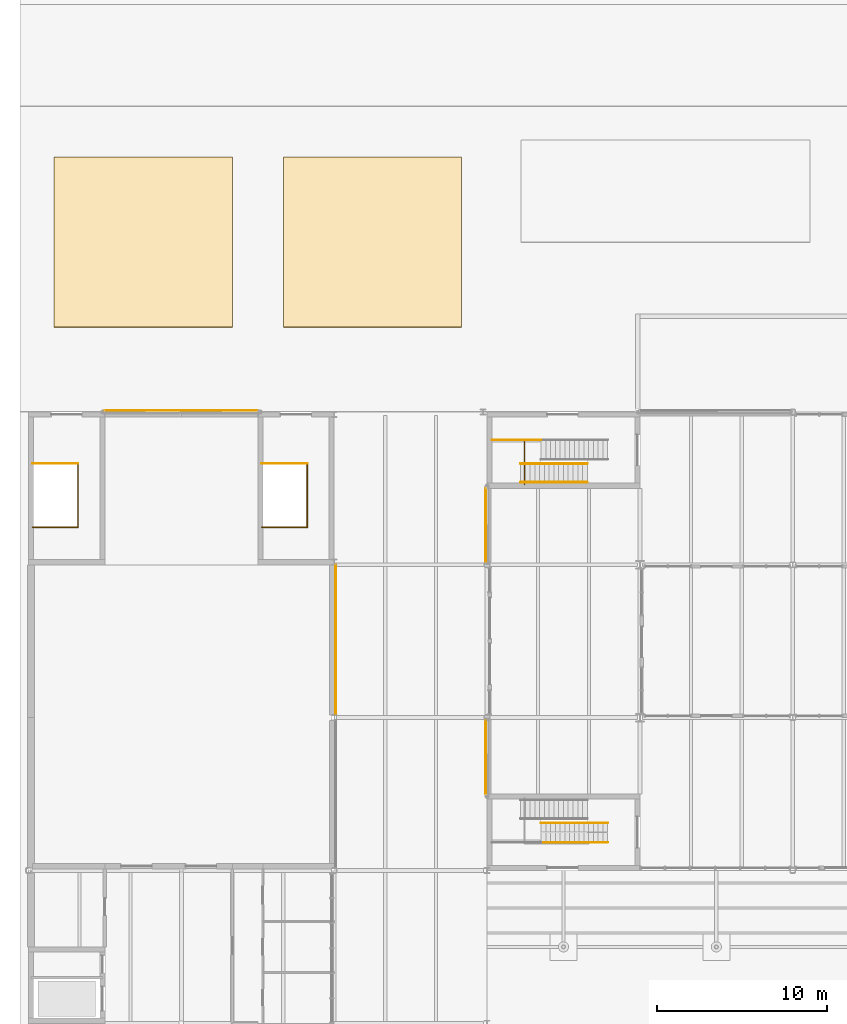
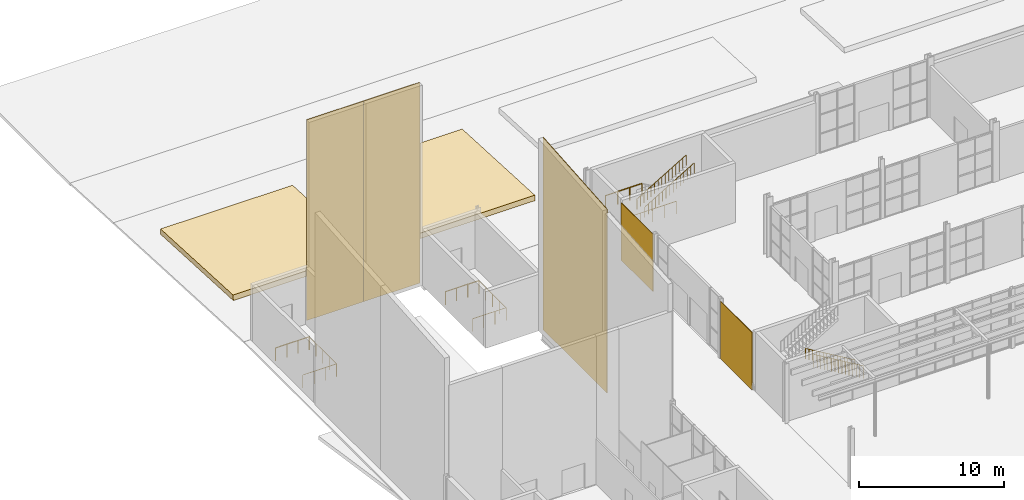
# One storey, part 55 of 63: 10 railings, 7 coverings.
"""IFC4 building model written with IfcOpenShell, lengths in metres."""

import ifcopenshell
import ifcopenshell.guid

model = None  # the IFC model being written
_history = None  # IfcOwnerHistory: only IFC2X3 demands one
_inside = {}  # id of a spatial element -> (the spatial element, [elements in it])
_under = {}  # id of a project, library or spatial element -> (it, [spatial elements below it])
_declared = {}  # id of a project -> (the project, [libraries it declares])
_typed = {}  # id of a type object -> (the type object, [elements of that type])
_made_of = {}  # id of a material, layer set ... -> (it, [elements and type objects made of it])


def new_model(schema):
    """Start an empty IFC model of exactly this schema.

    Asked for "IFC4X3", IfcOpenShell would pick the latest addendum, in which some entities
    have other attributes; the version numbers below select the first issue.
    IFC2X3 requires an IfcOwnerHistory on every rooted entity: one is made here for all.
    """
    global model, _history
    if schema == "IFC4X3":
        model = ifcopenshell.file(schema_version=(4, 3, 0, 0))
    else:
        model = ifcopenshell.file(schema=schema)
    _inside.clear()
    _under.clear()
    _declared.clear()
    _typed.clear()
    _made_of.clear()
    _history = None
    if model.schema == "IFC2X3":
        org = make("IfcOrganization", Name="unknown")
        user = make(
            "IfcPersonAndOrganization",
            ThePerson=make("IfcPerson", FamilyName="unknown"),
            TheOrganization=org,
        )
        app = make(
            "IfcApplication",
            ApplicationDeveloper=org,
            Version="unknown",
            ApplicationFullName="unknown",
            ApplicationIdentifier="unknown",
        )
        _history = make(
            "IfcOwnerHistory",
            OwningUser=user,
            OwningApplication=app,
            ChangeAction="ADDED",
            CreationDate=0,
        )
    return model


def make(cls, **values):
    """One entity of the class cls with the attributes given. An attribute that is None is left unset."""
    return model.create_entity(
        cls, **{name: value for name, value in values.items() if value is not None}
    )


def rooted(cls, **values):
    """An entity with a GlobalId (a new one), such as an element, a storey or a relation."""
    return make(cls, GlobalId=ifcopenshell.guid.new(), OwnerHistory=_history, **values)


def si_unit(unit_type, name, prefix=None):
    """IfcSIUnit, for example si_unit("LENGTHUNIT", "METRE", prefix="MILLI")."""
    return make("IfcSIUnit", UnitType=unit_type, Prefix=prefix, Name=name)


def assignment(units):
    """IfcUnitAssignment: the units of a project."""
    return None if units is None else make("IfcUnitAssignment", Units=units)


def point(xyz):
    """IfcCartesianPoint."""
    return None if xyz is None else make("IfcCartesianPoint", Coordinates=xyz)


def direction(xyz):
    """IfcDirection."""
    return None if xyz is None else make("IfcDirection", DirectionRatios=xyz)


def frame(location, z_axis=None, x_axis=None):
    """IfcAxis2Placement3D, a coordinate frame: its origin and axes. An axis left out is left unset."""
    return make(
        "IfcAxis2Placement3D",
        Location=point(location),
        Axis=direction(z_axis),
        RefDirection=direction(x_axis),
    )


def frame_2d(location, x_axis=None):
    """IfcAxis2Placement2D, a coordinate frame in the plane: its origin and x axis."""
    return make(
        "IfcAxis2Placement2D", Location=point(location), RefDirection=direction(x_axis)
    )


def origin():
    """The frame at (0, 0, 0) with its axes left unset."""
    return frame((0.0, 0.0, 0.0))


def origin_2d():
    """The frame at (0, 0) in the plane with its x axis left unset."""
    return frame_2d((0.0, 0.0))


def place(relative_to, where):
    """IfcLocalPlacement: puts the frame where relative to a parent placement (None: the world)."""
    return make(
        "IfcLocalPlacement", PlacementRelTo=relative_to, RelativePlacement=where
    )


def context(
    kind, dimensions, precision=None, world=None, true_north=None, identifier=None
):
    """IfcGeometricRepresentationContext, for example the 3D "Model" context."""
    return make(
        "IfcGeometricRepresentationContext",
        ContextIdentifier=identifier,
        ContextType=kind,
        CoordinateSpaceDimension=dimensions,
        Precision=precision,
        WorldCoordinateSystem=world,
        TrueNorth=true_north,
    )


def subcontext(parent, identifier, kind, view, scale=None):
    """IfcGeometricRepresentationSubContext, for example "Body" below "Model"."""
    return make(
        "IfcGeometricRepresentationSubContext",
        ContextIdentifier=identifier,
        ContextType=kind,
        ParentContext=parent,
        TargetScale=scale,
        TargetView=view,
    )


def project(units=None, contexts=None):
    """IfcProject with its units and contexts."""
    return rooted(
        "IfcProject",
        Name="project",
        RepresentationContexts=contexts,
        UnitsInContext=assignment(units),
    )


def spatial(cls, under=None, at=None, **own):
    """A site, building, storey or space (cls), placed at a placement, below another one or the project."""
    s = rooted(cls, ObjectPlacement=at, **own)
    if under is not None:
        _under.setdefault(under.id(), (under, []))[1].append(s)
    return s


def polyline(points):
    """IfcPolyline through the points."""
    return make("IfcPolyline", Points=[point(p) for p in points])


def profile(cls, at=None, kind="AREA", **sizes):
    """A parametric profile (cls). Its sizes go by their IFC names, for example OverallWidth=200.0."""
    return make(cls, ProfileType=kind, Position=at, **sizes)


def rectangle(**sizes):
    """IfcRectangleProfileDef."""
    return profile("IfcRectangleProfileDef", **sizes)


def circle(**sizes):
    """IfcCircleProfileDef."""
    return profile("IfcCircleProfileDef", **sizes)


def outline(outer, holes=None, kind="AREA"):
    """IfcArbitraryClosedProfileDef: a profile drawn as a closed curve; with holes, ...WithVoids."""
    if holes is None:
        return make("IfcArbitraryClosedProfileDef", ProfileType=kind, OuterCurve=outer)
    return make(
        "IfcArbitraryProfileDefWithVoids",
        ProfileType=kind,
        OuterCurve=outer,
        InnerCurves=holes,
    )


def extrude(swept, where, along, depth):
    """IfcExtrudedAreaSolid: the profile swept, set in the frame where, extruded along a direction by depth."""
    return make(
        "IfcExtrudedAreaSolid",
        SweptArea=swept,
        Position=where,
        ExtrudedDirection=direction(along),
        Depth=depth,
    )


def shape(context_of_items, identifier, shape_type, items):
    """IfcShapeRepresentation: the items that make up one representation, for example the "Body"."""
    return make(
        "IfcShapeRepresentation",
        ContextOfItems=context_of_items,
        RepresentationIdentifier=identifier,
        RepresentationType=shape_type,
        Items=items,
    )


def material(Name=None, Category=None):
    """IfcMaterial."""
    return make("IfcMaterial", Name=Name, Category=Category)


def layer(
    of_material, thickness, ventilated=None, Name=None, Category=None, Priority=None
):
    """IfcMaterialLayer: one layer of a wall or slab, of a material (None: an air gap)."""
    return make(
        "IfcMaterialLayer",
        Material=of_material,
        LayerThickness=thickness,
        IsVentilated=ventilated,
        Name=Name,
        Category=Category,
        Priority=Priority,
    )


def layer_set(layers, Name=None):
    """IfcMaterialLayerSet."""
    return make("IfcMaterialLayerSet", MaterialLayers=layers, LayerSetName=Name)


def made_of(thing, what):
    """Note that an element or type object is made of a material, layer set ...; save() writes the relation."""
    if what is not None:
        _made_of.setdefault(what.id(), (what, []))[1].append(thing)
    return thing


def type_object(cls, material=None, **own):
    """A type object (cls), such as IfcWallType, which elements share."""
    return made_of(rooted(cls, **own), material)


def element(
    cls,
    number,
    at=None,
    inside=None,
    cuts=None,
    type_object=None,
    material=None,
    context=None,
    identifier="Body",
    shape_type=None,
    held_by="IfcProductDefinitionShape",
    body=None,
    shapes=None,
    **own,
):
    """One element of the class cls, such as IfcWall. Its Tag is "e" and its number.

    at: its placement. inside: the storey or other place that contains it. cuts: it is an
    opening in that element (IfcRelVoidsElement). A single representation is given by context,
    identifier, shape_type and body (its items); several are given by shapes. held_by: the class
    of the entity that holds the representations. save() writes the other relations.
    """
    e = rooted(cls, Tag="e%d" % number, ObjectPlacement=at, **own)
    if body is not None:
        shapes = [shape(context, identifier, shape_type, body)]
    if shapes is not None:
        e.Representation = make(held_by, Representations=shapes)
    if inside is not None:
        _inside.setdefault(inside.id(), (inside, []))[1].append(e)
    if cuts is not None:
        rooted(
            "IfcRelVoidsElement", RelatingBuildingElement=cuts, RelatedOpeningElement=e
        )
    if type_object is not None:
        _typed.setdefault(type_object.id(), (type_object, []))[1].append(e)
    return made_of(e, material)


def aggregate(whole, parts):
    """IfcRelAggregates: a whole, such as a stair, and the parts it consists of."""
    return rooted("IfcRelAggregates", RelatingObject=whole, RelatedObjects=parts)


def save(model, path):
    """Write the relations noted so far, then the file.

    IfcRelAggregates (storeys below a building ...), IfcRelContainedInSpatialStructure (elements
    in a storey), IfcRelDefinesByType, IfcRelAssociatesMaterial and IfcRelDeclares: one each for
    every whole, place, type object, material and project.
    """
    for whole, parts in _under.values():
        aggregate(whole, parts)
    for where, things in _inside.values():
        rooted(
            "IfcRelContainedInSpatialStructure",
            RelatedElements=things,
            RelatingStructure=where,
        )
    for kind, things in _typed.values():
        rooted("IfcRelDefinesByType", RelatedObjects=things, RelatingType=kind)
    for what, things in _made_of.values():
        rooted("IfcRelAssociatesMaterial", RelatedObjects=things, RelatingMaterial=what)
    for by, libraries in _declared.values():
        rooted("IfcRelDeclares", RelatingContext=by, RelatedDefinitions=libraries)
    model.write(path)


model = new_model("IFC4")

# Units and contexts
model_context = context("Model", 3, precision=1e-05, world=origin(), true_north=direction((0.0, 1.0)))
body_context = subcontext(model_context, "Body", "Model", "MODEL_VIEW")
ifc_project = project(units=[si_unit("LENGTHUNIT", "METRE"), si_unit("AREAUNIT", "SQUARE_METRE"), si_unit("VOLUMEUNIT", "CUBIC_METRE"), si_unit("PLANEANGLEUNIT", "RADIAN"), si_unit("MASSUNIT", "GRAM", prefix="KILO")], contexts=[model_context])

# Site, building, storey
site_placement = place(None, origin())
site = spatial("IfcSite", under=ifc_project, at=site_placement, CompositionType="ELEMENT")
building_placement = place(site_placement, origin())
building = spatial("IfcBuilding", under=site, at=building_placement, Name="Halyard Row Museum", CompositionType="ELEMENT")
storey_placement = place(building_placement, origin())
storey = spatial("IfcBuildingStorey", under=building, at=storey_placement, Name="L00", CompositionType="ELEMENT", Elevation=0.0)

# Railings
ifc_material_1 = material(Name="Steel Grade 300", Category="steel")
railing_type_1 = type_object("IfcRailingType", Name="Guard GR2 steel balustrade 1100", PredefinedType="GUARDRAIL", material=ifc_material_1)
railing_1_placement = place(storey_placement, frame((30.179931640625, 43.35009765625, 2.5)))
element("IfcRailing", 1, at=railing_1_placement, inside=storey, type_object=railing_type_1, Name="Guard GR004", PredefinedType="GUARDRAIL", context=body_context, shape_type="SweptSolid", body=[
    extrude(circle(Radius=0.02392578125, at=origin_2d()), frame((0.0, 0.0, 1.076171875), z_axis=(-1.0, 0.0, 0.0), x_axis=(0.0, -1.0, 0.0)), (0.0, 0.0, 1.0), 2.8798828125),
    extrude(circle(Radius=0.02099609375, at=origin_2d()), origin(), (0.0, 0.0, 1.0), 1.052001953125),
    extrude(circle(Radius=0.02099609375, at=origin_2d()), frame((-0.9599609375, 0.0, 0.0)), (0.0, 0.0, 1.0), 1.052001953125),
    extrude(circle(Radius=0.02099609375, at=origin_2d()), frame((-1.919921875, 0.0, 0.0)), (0.0, 0.0, 1.0), 1.052001953125),
    extrude(circle(Radius=0.02099609375, at=origin_2d()), frame((-2.8798828125, 0.0, 0.0)), (0.0, 0.0, 1.0), 1.052001953125),
])
railing_2_placement = place(storey_placement, frame((34.10009765625, 19.64990234375, 0.166748046875)))
element("IfcRailing", 2, at=railing_2_placement, inside=storey, type_object=railing_type_1, Name="Guard GR031", PredefinedType="GUARDRAIL", context=body_context, shape_type="SweptSolid", body=[
    extrude(circle(Radius=0.02392578125, at=origin_2d()), frame((0.0, 0.0, 1.076171875), z_axis=(-0.859535888021, 0.0, 0.511075392877), x_axis=(0.0, -1.0, 0.0)), (0.0, 0.0, 1.0), 0.32568359375),
    extrude(circle(Radius=0.02392578125, at=origin_2d()), frame((-0.280029296875, 0.0, 1.24267578125), z_axis=(-0.859206643714, 0.0, 0.511628716353), x_axis=(0.0, -1.0, 0.0)), (0.0, 0.0, 1.0), 0.325927734375),
    extrude(circle(Radius=0.02392578125, at=origin_2d()), frame((-0.56005859375, 0.0, 1.4091796875), z_axis=(-0.859206643714, 0.0, 0.511628716353), x_axis=(0.0, -1.0, 0.0)), (0.0, 0.0, 1.0), 0.325927734375),
    extrude(circle(Radius=0.02392578125, at=origin_2d()), frame((-0.840087890625, 0.0, 1.576171875), z_axis=(-0.859535888021, 0.0, 0.511075392877), x_axis=(0.0, -1.0, 0.0)), (0.0, 0.0, 1.0), 0.32568359375),
    extrude(circle(Radius=0.02392578125, at=origin_2d()), frame((-1.1201171875, 0.0, 1.74267578125), z_axis=(-0.859206643714, 0.0, 0.511628716353), x_axis=(0.0, -1.0, 0.0)), (0.0, 0.0, 1.0), 0.325927734375),
    extrude(circle(Radius=0.02392578125, at=origin_2d()), frame((-1.400146484375, 0.0, 1.9091796875), z_axis=(-0.859206643714, 0.0, 0.511628716353), x_axis=(0.0, -1.0, 0.0)), (0.0, 0.0, 1.0), 0.325927734375),
    extrude(circle(Radius=0.02392578125, at=origin_2d()), frame((-1.68017578125, 0.0, 2.076171875), z_axis=(-0.859535888021, 0.0, 0.511075392877), x_axis=(0.0, -1.0, 0.0)), (0.0, 0.0, 1.0), 0.32568359375),
    extrude(circle(Radius=0.02392578125, at=origin_2d()), frame((-1.960205078125, 0.0, 2.24267578125), z_axis=(-0.859010369412, 0.0, 0.511958187006), x_axis=(0.0, -1.0, 0.0)), (0.0, 0.0, 1.0), 0.32568359375),
    extrude(circle(Radius=0.02392578125, at=origin_2d()), frame((-2.239990234375, 0.0, 2.4091796875), z_axis=(-0.859206643714, 0.0, 0.511628716353), x_axis=(0.0, -1.0, 0.0)), (0.0, 0.0, 1.0), 0.325927734375),
    extrude(circle(Radius=0.02392578125, at=origin_2d()), frame((-2.52001953125, 0.0, 2.576171875), z_axis=(-0.859535888021, 0.0, 0.511075392877), x_axis=(0.0, -1.0, 0.0)), (0.0, 0.0, 1.0), 0.32568359375),
    extrude(circle(Radius=0.02392578125, at=origin_2d()), frame((-2.800048828125, 0.0, 2.74267578125), z_axis=(-0.859206643714, 0.0, 0.511628716353), x_axis=(0.0, -1.0, 0.0)), (0.0, 0.0, 1.0), 0.325927734375),
    extrude(circle(Radius=0.02392578125, at=origin_2d()), frame((-3.080078125, 0.0, 2.9091796875), z_axis=(-0.859206643714, 0.0, 0.511628716353), x_axis=(0.0, -1.0, 0.0)), (0.0, 0.0, 1.0), 0.325927734375),
    extrude(circle(Radius=0.02392578125, at=origin_2d()), frame((-3.360107421875, 0.0, 3.076171875), z_axis=(-0.859535888021, 0.0, 0.511075392877), x_axis=(0.0, -1.0, 0.0)), (0.0, 0.0, 1.0), 0.32568359375),
    extrude(circle(Radius=0.02392578125, at=origin_2d()), frame((-3.64013671875, 0.0, 3.24267578125), z_axis=(-0.859206643714, 0.0, 0.511628716353), x_axis=(0.0, -1.0, 0.0)), (0.0, 0.0, 1.0), 0.325927734375),
    extrude(circle(Radius=0.02099609375, at=origin_2d()), origin(), (0.0, 0.0, 1.0), 1.052001953125),
    extrude(circle(Radius=0.02099609375, at=origin_2d()), frame((-0.280029296875, 0.0, 0.16650390625)), (0.0, 0.0, 1.0), 1.052001953125),
    extrude(circle(Radius=0.02099609375, at=origin_2d()), frame((-0.56005859375, 0.0, 0.333251953125)), (0.0, 0.0, 1.0), 1.052001953125),
    extrude(circle(Radius=0.02099609375, at=origin_2d()), frame((-0.840087890625, 0.0, 0.5)), (0.0, 0.0, 1.0), 1.052001953125),
    extrude(circle(Radius=0.02099609375, at=origin_2d()), frame((-1.1201171875, 0.0, 0.66650390625)), (0.0, 0.0, 1.0), 1.052001953125),
    extrude(circle(Radius=0.02099609375, at=origin_2d()), frame((-1.400146484375, 0.0, 0.833251953125)), (0.0, 0.0, 1.0), 1.052001953125),
    extrude(circle(Radius=0.02099609375, at=origin_2d()), frame((-1.68017578125, 0.0, 1.0)), (0.0, 0.0, 1.0), 1.052001953125),
    extrude(circle(Radius=0.02099609375, at=origin_2d()), frame((-1.960205078125, 0.0, 1.16650390625)), (0.0, 0.0, 1.0), 1.052001953125),
    extrude(circle(Radius=0.02099609375, at=origin_2d()), frame((-2.239990234375, 0.0, 1.333251953125)), (0.0, 0.0, 1.0), 1.052001953125),
    extrude(circle(Radius=0.02099609375, at=origin_2d()), frame((-2.52001953125, 0.0, 1.5)), (0.0, 0.0, 1.0), 1.052001953125),
    extrude(circle(Radius=0.02099609375, at=origin_2d()), frame((-2.800048828125, 0.0, 1.66650390625)), (0.0, 0.0, 1.0), 1.052001953125),
    extrude(circle(Radius=0.02099609375, at=origin_2d()), frame((-3.080078125, 0.0, 1.833251953125)), (0.0, 0.0, 1.0), 1.052001953125),
    extrude(circle(Radius=0.02099609375, at=origin_2d()), frame((-3.360107421875, 0.0, 2.0)), (0.0, 0.0, 1.0), 1.052001953125),
    extrude(circle(Radius=0.02099609375, at=origin_2d()), frame((-3.64013671875, 0.0, 2.16650390625)), (0.0, 0.0, 1.0), 1.052001953125),
    extrude(circle(Radius=0.02099609375, at=origin_2d()), frame((-3.920166015625, 0.0, 2.333251953125)), (0.0, 0.0, 1.0), 1.052001953125),
])
railing_3_placement = place(storey_placement, frame((29.199951171875, 40.739990234375, 0.0)))
element("IfcRailing", 3, at=railing_3_placement, inside=storey, type_object=railing_type_1, Name="Guard GR137", PredefinedType="GUARDRAIL", context=body_context, shape_type="SweptSolid", body=[
    extrude(circle(Radius=0.02392578125, at=origin_2d()), frame((0.0, 0.0, 1.076171875), z_axis=(0.0, 1.0, 0.0), x_axis=(-1.0, 0.0, 0.0)), (0.0, 0.0, 1.0), 2.669921875),
    extrude(circle(Radius=0.02392578125, at=origin_2d()), frame((0.0, 2.669921875, 1.076171875), z_axis=(1.0, 0.0, 0.0), x_axis=(0.0, 1.0, 0.0)), (0.0, 0.0, 1.0), 3.760009765625),
    extrude(circle(Radius=0.02099609375, at=origin_2d()), origin(), (0.0, 0.0, 1.0), 1.052001953125),
    extrude(circle(Radius=0.02099609375, at=origin_2d()), frame((0.0, 0.889892578125, 0.0)), (0.0, 0.0, 1.0), 1.052001953125),
    extrude(circle(Radius=0.02099609375, at=origin_2d()), frame((0.0, 1.780029296875, 0.0)), (0.0, 0.0, 1.0), 1.052001953125),
    extrude(circle(Radius=0.02099609375, at=origin_2d()), frame((0.0, 2.669921875, 0.0)), (0.0, 0.0, 1.0), 1.052001953125),
    extrude(circle(Radius=0.02099609375, at=origin_2d()), frame((0.93994140625, 2.669921875, 0.0)), (0.0, 0.0, 1.0), 1.052001953125),
    extrude(circle(Radius=0.02099609375, at=origin_2d()), frame((1.8798828125, 2.669921875, 0.0)), (0.0, 0.0, 1.0), 1.052001953125),
    extrude(circle(Radius=0.02099609375, at=origin_2d()), frame((2.820068359375, 2.669921875, 0.0)), (0.0, 0.0, 1.0), 1.052001953125),
    extrude(circle(Radius=0.02099609375, at=origin_2d()), frame((3.760009765625, 2.669921875, 0.0)), (0.0, 0.0, 1.0), 1.052001953125),
])
railing_4_placement = place(storey_placement, frame((16.409912109375, 41.9599609375, 0.0)))
element("IfcRailing", 4, at=railing_4_placement, inside=storey, type_object=railing_type_1, Name="Guard GR173", PredefinedType="GUARDRAIL", context=body_context, shape_type="SweptSolid", body=[
    extrude(circle(Radius=0.02392578125, at=origin_2d()), frame((0.0, 0.0, 1.076171875), z_axis=(0.0, -1.0, 0.0), x_axis=(1.0, 0.0, 0.0)), (0.0, 0.0, 1.0), 3.760009765625),
    extrude(circle(Radius=0.02392578125, at=origin_2d()), frame((0.0, -3.760009765625, 1.076171875), z_axis=(-1.0, 0.0, 0.0), x_axis=(0.0, -1.0, 0.0)), (0.0, 0.0, 1.0), 2.669921875),
    extrude(circle(Radius=0.02099609375, at=origin_2d()), origin(), (0.0, 0.0, 1.0), 1.052001953125),
    extrude(circle(Radius=0.02099609375, at=origin_2d()), frame((0.0, -0.93994140625, 0.0)), (0.0, 0.0, 1.0), 1.052001953125),
    extrude(circle(Radius=0.02099609375, at=origin_2d()), frame((0.0, -1.8798828125, 0.0)), (0.0, 0.0, 1.0), 1.052001953125),
    extrude(circle(Radius=0.02099609375, at=origin_2d()), frame((0.0, -2.820068359375, 0.0)), (0.0, 0.0, 1.0), 1.052001953125),
    extrude(circle(Radius=0.02099609375, at=origin_2d()), frame((0.0, -3.760009765625, 0.0)), (0.0, 0.0, 1.0), 1.052001953125),
    extrude(circle(Radius=0.02099609375, at=origin_2d()), frame((-0.889892578125, -3.760009765625, 0.0)), (0.0, 0.0, 1.0), 1.052001953125),
    extrude(circle(Radius=0.02099609375, at=origin_2d()), frame((-1.780029296875, -3.760009765625, 0.0)), (0.0, 0.0, 1.0), 1.052001953125),
    extrude(circle(Radius=0.02099609375, at=origin_2d()), frame((-2.669921875, -3.760009765625, 0.0)), (0.0, 0.0, 1.0), 1.052001953125),
])
railing_5_placement = place(storey_placement, frame((13.739990234375, 41.9599609375, 0.0)))
element("IfcRailing", 5, at=railing_5_placement, inside=storey, type_object=railing_type_1, Name="Guard GR174", PredefinedType="GUARDRAIL", context=body_context, shape_type="SweptSolid", body=[
    extrude(circle(Radius=0.02392578125, at=origin_2d()), frame((0.0, 0.0, 1.076171875), z_axis=(1.0, 0.0, 0.0), x_axis=(0.0, 1.0, 0.0)), (0.0, 0.0, 1.0), 2.669921875),
    extrude(circle(Radius=0.02099609375, at=origin_2d()), origin(), (0.0, 0.0, 1.0), 1.052001953125),
    extrude(circle(Radius=0.02099609375, at=origin_2d()), frame((0.889892578125, 0.0, 0.0)), (0.0, 0.0, 1.0), 1.052001953125),
    extrude(circle(Radius=0.02099609375, at=origin_2d()), frame((1.780029296875, 0.0, 0.0)), (0.0, 0.0, 1.0), 1.052001953125),
    extrude(circle(Radius=0.02099609375, at=origin_2d()), frame((2.669921875, 0.0, 0.0)), (0.0, 0.0, 1.0), 1.052001953125),
])
railing_6_placement = place(storey_placement, frame((2.909912109375, 41.9599609375, 0.0)))
element("IfcRailing", 6, at=railing_6_placement, inside=storey, type_object=railing_type_1, Name="Guard GR178", PredefinedType="GUARDRAIL", context=body_context, shape_type="SweptSolid", body=[
    extrude(circle(Radius=0.02392578125, at=origin_2d()), frame((0.0, 0.0, 1.076171875), z_axis=(0.0, -1.0, 0.0), x_axis=(1.0, 0.0, 0.0)), (0.0, 0.0, 1.0), 3.760009765625),
    extrude(circle(Radius=0.02392578125, at=origin_2d()), frame((0.0, -3.760009765625, 1.076171875), z_axis=(-1.0, 0.0, 0.0), x_axis=(0.0, -1.0, 0.0)), (0.0, 0.0, 1.0), 2.669921875),
    extrude(circle(Radius=0.02099609375, at=origin_2d()), origin(), (0.0, 0.0, 1.0), 1.052001953125),
    extrude(circle(Radius=0.02099609375, at=origin_2d()), frame((0.0, -0.93994140625, 0.0)), (0.0, 0.0, 1.0), 1.052001953125),
    extrude(circle(Radius=0.02099609375, at=origin_2d()), frame((0.0, -1.8798828125, 0.0)), (0.0, 0.0, 1.0), 1.052001953125),
    extrude(circle(Radius=0.02099609375, at=origin_2d()), frame((0.0, -2.820068359375, 0.0)), (0.0, 0.0, 1.0), 1.052001953125),
    extrude(circle(Radius=0.02099609375, at=origin_2d()), frame((0.0, -3.760009765625, 0.0)), (0.0, 0.0, 1.0), 1.052001953125),
    extrude(circle(Radius=0.02099609375, at=origin_2d()), frame((-0.889892578125, -3.760009765625, 0.0)), (0.0, 0.0, 1.0), 1.052001953125),
    extrude(circle(Radius=0.02099609375, at=origin_2d()), frame((-1.780029296875, -3.760009765625, 0.0)), (0.0, 0.0, 1.0), 1.052001953125),
    extrude(circle(Radius=0.02099609375, at=origin_2d()), frame((-2.669921875, -3.760009765625, 0.0)), (0.0, 0.0, 1.0), 1.052001953125),
])
railing_7_placement = place(storey_placement, frame((0.239990234375, 41.9599609375, 0.0)))
element("IfcRailing", 7, at=railing_7_placement, inside=storey, type_object=railing_type_1, Name="Guard GR179", PredefinedType="GUARDRAIL", context=body_context, shape_type="SweptSolid", body=[
    extrude(circle(Radius=0.02392578125, at=origin_2d()), frame((0.0, 0.0, 1.076171875), z_axis=(1.0, 0.0, 0.0), x_axis=(0.0, 1.0, 0.0)), (0.0, 0.0, 1.0), 2.669921875),
    extrude(circle(Radius=0.02099609375, at=origin_2d()), origin(), (0.0, 0.0, 1.0), 1.052001953125),
    extrude(circle(Radius=0.02099609375, at=origin_2d()), frame((0.889892578125, 0.0, 0.0)), (0.0, 0.0, 1.0), 1.052001953125),
    extrude(circle(Radius=0.02099609375, at=origin_2d()), frame((1.780029296875, 0.0, 0.0)), (0.0, 0.0, 1.0), 1.052001953125),
    extrude(circle(Radius=0.02099609375, at=origin_2d()), frame((2.669921875, 0.0, 0.0)), (0.0, 0.0, 1.0), 1.052001953125),
])
ifc_material_2 = material(Name="Steel Grade 300", Category="steel")
railing_type_2 = type_object("IfcRailingType", Name="Handrail HR2 steel 900", PredefinedType="HANDRAIL", material=ifc_material_2)
railing_8_placement = place(storey_placement, frame((28.97998046875, 40.85009765625, 2.666748046875)))
element("IfcRailing", 8, at=railing_8_placement, inside=storey, type_object=railing_type_2, Name="Handrail HR005", PredefinedType="HANDRAIL", context=body_context, shape_type="SweptSolid", body=[
    extrude(circle(Radius=0.02392578125, at=origin_2d()), frame((0.0, 0.0, 0.8759765625), z_axis=(0.859535888021, 0.0, 0.511075392877), x_axis=(0.0, 1.0, 0.0)), (0.0, 0.0, 1.0), 0.32568359375),
    extrude(circle(Radius=0.02392578125, at=origin_2d()), frame((0.280029296875, 0.0, 1.04248046875), z_axis=(0.859206643714, 0.0, 0.511628716353), x_axis=(0.0, 1.0, 0.0)), (0.0, 0.0, 1.0), 0.325927734375),
    extrude(circle(Radius=0.02392578125, at=origin_2d()), frame((0.56005859375, 0.0, 1.208984375), z_axis=(0.859206643714, 0.0, 0.511628716353), x_axis=(0.0, 1.0, 0.0)), (0.0, 0.0, 1.0), 0.325927734375),
    extrude(circle(Radius=0.02392578125, at=origin_2d()), frame((0.840087890625, 0.0, 1.3759765625), z_axis=(0.859535888021, 0.0, 0.511075392877), x_axis=(0.0, 1.0, 0.0)), (0.0, 0.0, 1.0), 0.32568359375),
    extrude(circle(Radius=0.02392578125, at=origin_2d()), frame((1.1201171875, 0.0, 1.54248046875), z_axis=(0.859010369412, 0.0, 0.511958187006), x_axis=(0.0, 1.0, 0.0)), (0.0, 0.0, 1.0), 0.32568359375),
    extrude(circle(Radius=0.02392578125, at=origin_2d()), frame((1.39990234375, 0.0, 1.708984375), z_axis=(0.859206643714, 0.0, 0.511628716353), x_axis=(0.0, 1.0, 0.0)), (0.0, 0.0, 1.0), 0.325927734375),
    extrude(circle(Radius=0.02392578125, at=origin_2d()), frame((1.679931640625, 0.0, 1.8759765625), z_axis=(0.859535888021, 0.0, 0.511075392877), x_axis=(0.0, 1.0, 0.0)), (0.0, 0.0, 1.0), 0.32568359375),
    extrude(circle(Radius=0.02392578125, at=origin_2d()), frame((1.9599609375, 0.0, 2.04248046875), z_axis=(0.859206643714, 0.0, 0.511628716353), x_axis=(0.0, 1.0, 0.0)), (0.0, 0.0, 1.0), 0.325927734375),
    extrude(circle(Radius=0.02392578125, at=origin_2d()), frame((2.239990234375, 0.0, 2.208984375), z_axis=(0.859206643714, 0.0, 0.511628716353), x_axis=(0.0, 1.0, 0.0)), (0.0, 0.0, 1.0), 0.325927734375),
    extrude(circle(Radius=0.02392578125, at=origin_2d()), frame((2.52001953125, 0.0, 2.3759765625), z_axis=(0.859535888021, 0.0, 0.511075392877), x_axis=(0.0, 1.0, 0.0)), (0.0, 0.0, 1.0), 0.32568359375),
    extrude(circle(Radius=0.02392578125, at=origin_2d()), frame((2.800048828125, 0.0, 2.54248046875), z_axis=(0.859206643714, 0.0, 0.511628716353), x_axis=(0.0, 1.0, 0.0)), (0.0, 0.0, 1.0), 0.325927734375),
    extrude(circle(Radius=0.02392578125, at=origin_2d()), frame((3.080078125, 0.0, 2.708984375), z_axis=(0.859206643714, 0.0, 0.511628716353), x_axis=(0.0, 1.0, 0.0)), (0.0, 0.0, 1.0), 0.325927734375),
    extrude(circle(Radius=0.02392578125, at=origin_2d()), frame((3.360107421875, 0.0, 2.8759765625), z_axis=(0.859535888021, 0.0, 0.511075392877), x_axis=(0.0, 1.0, 0.0)), (0.0, 0.0, 1.0), 0.32568359375),
    extrude(circle(Radius=0.02392578125, at=origin_2d()), frame((3.64013671875, 0.0, 3.04248046875), z_axis=(0.859010369412, 0.0, 0.511958187006), x_axis=(0.0, 1.0, 0.0)), (0.0, 0.0, 1.0), 0.32568359375),
    extrude(circle(Radius=0.02099609375, at=origin_2d()), origin(), (0.0, 0.0, 1.0), 0.851806640625),
    extrude(circle(Radius=0.02099609375, at=origin_2d()), frame((0.280029296875, 0.0, 0.16650390625)), (0.0, 0.0, 1.0), 0.851806640625),
    extrude(circle(Radius=0.02099609375, at=origin_2d()), frame((0.56005859375, 0.0, 0.333251953125)), (0.0, 0.0, 1.0), 0.851806640625),
    extrude(circle(Radius=0.02099609375, at=origin_2d()), frame((0.840087890625, 0.0, 0.5)), (0.0, 0.0, 1.0), 0.851806640625),
    extrude(circle(Radius=0.02099609375, at=origin_2d()), frame((1.1201171875, 0.0, 0.66650390625)), (0.0, 0.0, 1.0), 0.851806640625),
    extrude(circle(Radius=0.02099609375, at=origin_2d()), frame((1.39990234375, 0.0, 0.833251953125)), (0.0, 0.0, 1.0), 0.851806640625),
    extrude(circle(Radius=0.02099609375, at=origin_2d()), frame((1.679931640625, 0.0, 1.0)), (0.0, 0.0, 1.0), 0.851806640625),
    extrude(circle(Radius=0.02099609375, at=origin_2d()), frame((1.9599609375, 0.0, 1.16650390625)), (0.0, 0.0, 1.0), 0.851806640625),
    extrude(circle(Radius=0.02099609375, at=origin_2d()), frame((2.239990234375, 0.0, 1.333251953125)), (0.0, 0.0, 1.0), 0.851806640625),
    extrude(circle(Radius=0.02099609375, at=origin_2d()), frame((2.52001953125, 0.0, 1.5)), (0.0, 0.0, 1.0), 0.851806640625),
    extrude(circle(Radius=0.02099609375, at=origin_2d()), frame((2.800048828125, 0.0, 1.66650390625)), (0.0, 0.0, 1.0), 0.851806640625),
    extrude(circle(Radius=0.02099609375, at=origin_2d()), frame((3.080078125, 0.0, 1.833251953125)), (0.0, 0.0, 1.0), 0.851806640625),
    extrude(circle(Radius=0.02099609375, at=origin_2d()), frame((3.360107421875, 0.0, 2.0)), (0.0, 0.0, 1.0), 0.851806640625),
    extrude(circle(Radius=0.02099609375, at=origin_2d()), frame((3.64013671875, 0.0, 2.16650390625)), (0.0, 0.0, 1.0), 0.851806640625),
    extrude(circle(Radius=0.02099609375, at=origin_2d()), frame((3.919921875, 0.0, 2.333251953125)), (0.0, 0.0, 1.0), 0.851806640625),
])
railing_9_placement = place(storey_placement, frame((28.97998046875, 41.949951171875, 2.666748046875)))
element("IfcRailing", 9, at=railing_9_placement, inside=storey, type_object=railing_type_2, Name="Handrail HR006", PredefinedType="HANDRAIL", context=body_context, shape_type="SweptSolid", body=[
    extrude(circle(Radius=0.02392578125, at=origin_2d()), frame((0.0, 0.0, 0.8759765625), z_axis=(0.859535888021, 0.0, 0.511075392877), x_axis=(0.0, 1.0, 0.0)), (0.0, 0.0, 1.0), 0.32568359375),
    extrude(circle(Radius=0.02392578125, at=origin_2d()), frame((0.280029296875, 0.0, 1.04248046875), z_axis=(0.859206643714, 0.0, 0.511628716353), x_axis=(0.0, 1.0, 0.0)), (0.0, 0.0, 1.0), 0.325927734375),
    extrude(circle(Radius=0.02392578125, at=origin_2d()), frame((0.56005859375, 0.0, 1.208984375), z_axis=(0.859206643714, 0.0, 0.511628716353), x_axis=(0.0, 1.0, 0.0)), (0.0, 0.0, 1.0), 0.325927734375),
    extrude(circle(Radius=0.02392578125, at=origin_2d()), frame((0.840087890625, 0.0, 1.3759765625), z_axis=(0.859535888021, 0.0, 0.511075392877), x_axis=(0.0, 1.0, 0.0)), (0.0, 0.0, 1.0), 0.32568359375),
    extrude(circle(Radius=0.02392578125, at=origin_2d()), frame((1.1201171875, 0.0, 1.54248046875), z_axis=(0.859010369412, 0.0, 0.511958187006), x_axis=(0.0, 1.0, 0.0)), (0.0, 0.0, 1.0), 0.32568359375),
    extrude(circle(Radius=0.02392578125, at=origin_2d()), frame((1.39990234375, 0.0, 1.708984375), z_axis=(0.859206643714, 0.0, 0.511628716353), x_axis=(0.0, 1.0, 0.0)), (0.0, 0.0, 1.0), 0.325927734375),
    extrude(circle(Radius=0.02392578125, at=origin_2d()), frame((1.679931640625, 0.0, 1.8759765625), z_axis=(0.859535888021, 0.0, 0.511075392877), x_axis=(0.0, 1.0, 0.0)), (0.0, 0.0, 1.0), 0.32568359375),
    extrude(circle(Radius=0.02392578125, at=origin_2d()), frame((1.9599609375, 0.0, 2.04248046875), z_axis=(0.859206643714, 0.0, 0.511628716353), x_axis=(0.0, 1.0, 0.0)), (0.0, 0.0, 1.0), 0.325927734375),
    extrude(circle(Radius=0.02392578125, at=origin_2d()), frame((2.239990234375, 0.0, 2.208984375), z_axis=(0.859206643714, 0.0, 0.511628716353), x_axis=(0.0, 1.0, 0.0)), (0.0, 0.0, 1.0), 0.325927734375),
    extrude(circle(Radius=0.02392578125, at=origin_2d()), frame((2.52001953125, 0.0, 2.3759765625), z_axis=(0.859535888021, 0.0, 0.511075392877), x_axis=(0.0, 1.0, 0.0)), (0.0, 0.0, 1.0), 0.32568359375),
    extrude(circle(Radius=0.02392578125, at=origin_2d()), frame((2.800048828125, 0.0, 2.54248046875), z_axis=(0.859206643714, 0.0, 0.511628716353), x_axis=(0.0, 1.0, 0.0)), (0.0, 0.0, 1.0), 0.325927734375),
    extrude(circle(Radius=0.02392578125, at=origin_2d()), frame((3.080078125, 0.0, 2.708984375), z_axis=(0.859206643714, 0.0, 0.511628716353), x_axis=(0.0, 1.0, 0.0)), (0.0, 0.0, 1.0), 0.325927734375),
    extrude(circle(Radius=0.02392578125, at=origin_2d()), frame((3.360107421875, 0.0, 2.8759765625), z_axis=(0.859535888021, 0.0, 0.511075392877), x_axis=(0.0, 1.0, 0.0)), (0.0, 0.0, 1.0), 0.32568359375),
    extrude(circle(Radius=0.02392578125, at=origin_2d()), frame((3.64013671875, 0.0, 3.04248046875), z_axis=(0.859010369412, 0.0, 0.511958187006), x_axis=(0.0, 1.0, 0.0)), (0.0, 0.0, 1.0), 0.32568359375),
    extrude(circle(Radius=0.02099609375, at=origin_2d()), origin(), (0.0, 0.0, 1.0), 0.851806640625),
    extrude(circle(Radius=0.02099609375, at=origin_2d()), frame((0.280029296875, 0.0, 0.16650390625)), (0.0, 0.0, 1.0), 0.851806640625),
    extrude(circle(Radius=0.02099609375, at=origin_2d()), frame((0.56005859375, 0.0, 0.333251953125)), (0.0, 0.0, 1.0), 0.851806640625),
    extrude(circle(Radius=0.02099609375, at=origin_2d()), frame((0.840087890625, 0.0, 0.5)), (0.0, 0.0, 1.0), 0.851806640625),
    extrude(circle(Radius=0.02099609375, at=origin_2d()), frame((1.1201171875, 0.0, 0.66650390625)), (0.0, 0.0, 1.0), 0.851806640625),
    extrude(circle(Radius=0.02099609375, at=origin_2d()), frame((1.39990234375, 0.0, 0.833251953125)), (0.0, 0.0, 1.0), 0.851806640625),
    extrude(circle(Radius=0.02099609375, at=origin_2d()), frame((1.679931640625, 0.0, 1.0)), (0.0, 0.0, 1.0), 0.851806640625),
    extrude(circle(Radius=0.02099609375, at=origin_2d()), frame((1.9599609375, 0.0, 1.16650390625)), (0.0, 0.0, 1.0), 0.851806640625),
    extrude(circle(Radius=0.02099609375, at=origin_2d()), frame((2.239990234375, 0.0, 1.333251953125)), (0.0, 0.0, 1.0), 0.851806640625),
    extrude(circle(Radius=0.02099609375, at=origin_2d()), frame((2.52001953125, 0.0, 1.5)), (0.0, 0.0, 1.0), 0.851806640625),
    extrude(circle(Radius=0.02099609375, at=origin_2d()), frame((2.800048828125, 0.0, 1.66650390625)), (0.0, 0.0, 1.0), 0.851806640625),
    extrude(circle(Radius=0.02099609375, at=origin_2d()), frame((3.080078125, 0.0, 1.833251953125)), (0.0, 0.0, 1.0), 0.851806640625),
    extrude(circle(Radius=0.02099609375, at=origin_2d()), frame((3.360107421875, 0.0, 2.0)), (0.0, 0.0, 1.0), 0.851806640625),
    extrude(circle(Radius=0.02099609375, at=origin_2d()), frame((3.64013671875, 0.0, 2.16650390625)), (0.0, 0.0, 1.0), 0.851806640625),
    extrude(circle(Radius=0.02099609375, at=origin_2d()), frame((3.919921875, 0.0, 2.333251953125)), (0.0, 0.0, 1.0), 0.851806640625),
])
railing_10_placement = place(storey_placement, frame((34.10009765625, 20.800048828125, 0.166748046875)))
element("IfcRailing", 10, at=railing_10_placement, inside=storey, type_object=railing_type_2, Name="Handrail HR046", PredefinedType="HANDRAIL", context=body_context, shape_type="SweptSolid", body=[
    extrude(circle(Radius=0.02392578125, at=origin_2d()), frame((0.0, 0.0, 0.8759765625), z_axis=(-0.859535888021, 0.0, 0.511075392877), x_axis=(0.0, -1.0, 0.0)), (0.0, 0.0, 1.0), 0.32568359375),
    extrude(circle(Radius=0.02392578125, at=origin_2d()), frame((-0.280029296875, 0.0, 1.04248046875), z_axis=(-0.859206643714, 0.0, 0.511628716353), x_axis=(0.0, -1.0, 0.0)), (0.0, 0.0, 1.0), 0.325927734375),
    extrude(circle(Radius=0.02392578125, at=origin_2d()), frame((-0.56005859375, 0.0, 1.208984375), z_axis=(-0.859206643714, 0.0, 0.511628716353), x_axis=(0.0, -1.0, 0.0)), (0.0, 0.0, 1.0), 0.325927734375),
    extrude(circle(Radius=0.02392578125, at=origin_2d()), frame((-0.840087890625, 0.0, 1.3759765625), z_axis=(-0.859535888021, 0.0, 0.511075392877), x_axis=(0.0, -1.0, 0.0)), (0.0, 0.0, 1.0), 0.32568359375),
    extrude(circle(Radius=0.02392578125, at=origin_2d()), frame((-1.1201171875, 0.0, 1.54248046875), z_axis=(-0.859206643714, 0.0, 0.511628716353), x_axis=(0.0, -1.0, 0.0)), (0.0, 0.0, 1.0), 0.325927734375),
    extrude(circle(Radius=0.02392578125, at=origin_2d()), frame((-1.400146484375, 0.0, 1.708984375), z_axis=(-0.859206643714, 0.0, 0.511628716353), x_axis=(0.0, -1.0, 0.0)), (0.0, 0.0, 1.0), 0.325927734375),
    extrude(circle(Radius=0.02392578125, at=origin_2d()), frame((-1.68017578125, 0.0, 1.8759765625), z_axis=(-0.859535888021, 0.0, 0.511075392877), x_axis=(0.0, -1.0, 0.0)), (0.0, 0.0, 1.0), 0.32568359375),
    extrude(circle(Radius=0.02392578125, at=origin_2d()), frame((-1.960205078125, 0.0, 2.04248046875), z_axis=(-0.859010369412, 0.0, 0.511958187006), x_axis=(0.0, -1.0, 0.0)), (0.0, 0.0, 1.0), 0.32568359375),
    extrude(circle(Radius=0.02392578125, at=origin_2d()), frame((-2.239990234375, 0.0, 2.208984375), z_axis=(-0.859206643714, 0.0, 0.511628716353), x_axis=(0.0, -1.0, 0.0)), (0.0, 0.0, 1.0), 0.325927734375),
    extrude(circle(Radius=0.02392578125, at=origin_2d()), frame((-2.52001953125, 0.0, 2.3759765625), z_axis=(-0.859535888021, 0.0, 0.511075392877), x_axis=(0.0, -1.0, 0.0)), (0.0, 0.0, 1.0), 0.32568359375),
    extrude(circle(Radius=0.02392578125, at=origin_2d()), frame((-2.800048828125, 0.0, 2.54248046875), z_axis=(-0.859206643714, 0.0, 0.511628716353), x_axis=(0.0, -1.0, 0.0)), (0.0, 0.0, 1.0), 0.325927734375),
    extrude(circle(Radius=0.02392578125, at=origin_2d()), frame((-3.080078125, 0.0, 2.708984375), z_axis=(-0.859206643714, 0.0, 0.511628716353), x_axis=(0.0, -1.0, 0.0)), (0.0, 0.0, 1.0), 0.325927734375),
    extrude(circle(Radius=0.02392578125, at=origin_2d()), frame((-3.360107421875, 0.0, 2.8759765625), z_axis=(-0.859535888021, 0.0, 0.511075392877), x_axis=(0.0, -1.0, 0.0)), (0.0, 0.0, 1.0), 0.32568359375),
    extrude(circle(Radius=0.02392578125, at=origin_2d()), frame((-3.64013671875, 0.0, 3.04248046875), z_axis=(-0.859206643714, 0.0, 0.511628716353), x_axis=(0.0, -1.0, 0.0)), (0.0, 0.0, 1.0), 0.325927734375),
    extrude(circle(Radius=0.02099609375, at=origin_2d()), origin(), (0.0, 0.0, 1.0), 0.851806640625),
    extrude(circle(Radius=0.02099609375, at=origin_2d()), frame((-0.280029296875, 0.0, 0.16650390625)), (0.0, 0.0, 1.0), 0.851806640625),
    extrude(circle(Radius=0.02099609375, at=origin_2d()), frame((-0.56005859375, 0.0, 0.333251953125)), (0.0, 0.0, 1.0), 0.851806640625),
    extrude(circle(Radius=0.02099609375, at=origin_2d()), frame((-0.840087890625, 0.0, 0.5)), (0.0, 0.0, 1.0), 0.851806640625),
    extrude(circle(Radius=0.02099609375, at=origin_2d()), frame((-1.1201171875, 0.0, 0.66650390625)), (0.0, 0.0, 1.0), 0.851806640625),
    extrude(circle(Radius=0.02099609375, at=origin_2d()), frame((-1.400146484375, 0.0, 0.833251953125)), (0.0, 0.0, 1.0), 0.851806640625),
    extrude(circle(Radius=0.02099609375, at=origin_2d()), frame((-1.68017578125, 0.0, 1.0)), (0.0, 0.0, 1.0), 0.851806640625),
    extrude(circle(Radius=0.02099609375, at=origin_2d()), frame((-1.960205078125, 0.0, 1.16650390625)), (0.0, 0.0, 1.0), 0.851806640625),
    extrude(circle(Radius=0.02099609375, at=origin_2d()), frame((-2.239990234375, 0.0, 1.333251953125)), (0.0, 0.0, 1.0), 0.851806640625),
    extrude(circle(Radius=0.02099609375, at=origin_2d()), frame((-2.52001953125, 0.0, 1.5)), (0.0, 0.0, 1.0), 0.851806640625),
    extrude(circle(Radius=0.02099609375, at=origin_2d()), frame((-2.800048828125, 0.0, 1.66650390625)), (0.0, 0.0, 1.0), 0.851806640625),
    extrude(circle(Radius=0.02099609375, at=origin_2d()), frame((-3.080078125, 0.0, 1.833251953125)), (0.0, 0.0, 1.0), 0.851806640625),
    extrude(circle(Radius=0.02099609375, at=origin_2d()), frame((-3.360107421875, 0.0, 2.0)), (0.0, 0.0, 1.0), 0.851806640625),
    extrude(circle(Radius=0.02099609375, at=origin_2d()), frame((-3.64013671875, 0.0, 2.16650390625)), (0.0, 0.0, 1.0), 0.851806640625),
    extrude(circle(Radius=0.02099609375, at=origin_2d()), frame((-3.920166015625, 0.0, 2.333251953125)), (0.0, 0.0, 1.0), 0.851806640625),
])

# Coverings
ifc_material_3 = material(Name="Planting soil and mulch", Category="soil")
ifc_layer_1 = layer(ifc_material_3, 0.449951171875)
ifc_layer_set_1 = layer_set([ifc_layer_1], Name="Planting soil and mulch")
covering_type_1 = type_object("IfcCoveringType", Name="Planting bed 450", PredefinedType="USERDEFINED", material=ifc_layer_set_1)
for number, where, z_axis, x_axis, name in (
    (11, (1.5, 50.0, 0.199951171875), (0.0, 0.049937616944, 0.998752338878), (1.0, 0.0, 0.0), "Planting bed 1"),
    (12, (15.0, 50.0, 0.199951171875), (0.0, 0.049937616944, 0.998752338878), (1.0, 0.0, 0.0), "Planting bed 2"),
):
    element("IfcCovering", number, at=place(storey_placement, frame(where, z_axis=z_axis, x_axis=x_axis)), inside=storey, type_object=covering_type_1, Name=name, ObjectType="Planting bed", PredefinedType="USERDEFINED", context=body_context, shape_type="SweptSolid", body=[
        extrude(outline(polyline([(0.0, 0.0), (10.5, 0.0), (10.5, 10.012492197250394), (0.0, 10.012492197250394), (0.0, 0.0)])), origin(), (0.0, 0.0, -1.0), 0.449462890625),
    ])
ifc_material_4 = material(Name="Fire-retardant Type A timber battens", Category="wood")
ifc_layer_2 = layer(ifc_material_4, 0.050048828125)
ifc_layer_set_2 = layer_set([ifc_layer_2], Name="Fire-retardant Type A timber battens")
covering_type_2 = type_object("IfcCoveringType", Name="Timber batten cladding 50", PredefinedType="CLADDING", material=ifc_layer_set_2)
for number, where, z_axis, x_axis, name in (
    (13, (26.9150390625, 40.5, 0.0), (0.0, 0.0, 1.0), (0.0, -1.0, 0.0), "Cladding CLL00-004"),
    (14, (26.9150390625, 26.85009765625, 0.0), (0.0, 0.0, 1.0), (0.0, -1.0, 0.0), "Cladding CLL00-005"),
):
    element("IfcCovering", number, at=place(storey_placement, frame(where, z_axis=z_axis, x_axis=x_axis)), inside=storey, type_object=covering_type_2, Name=name, PredefinedType="CLADDING", context=body_context, shape_type="SweptSolid", body=[
        extrude(rectangle(XDim=4.35009765625, YDim=0.050048828125, at=frame_2d((2.175048828125, 0.0))), origin(), (0.0, 0.0, 1.0), 4.8349609375),
    ])
covering_placement = place(storey_placement, frame((18.0849609375, 27.16357421875, 0.0), z_axis=(0.0, 0.0, 1.0), x_axis=(0.0, 1.0, 0.0)))
element("IfcCovering", 15, at=covering_placement, inside=storey, type_object=covering_type_2, Name="Cladding CLL00-007", PredefinedType="CLADDING", context=body_context, shape_type="SweptSolid", body=[
    extrude(outline(polyline([(0.0, 0.0), (8.83642578125, 0.0), (8.83642578125, 16.159912109375), (0.0, 15.453125), (0.0, 0.0)])), frame((0.0, 0.02490234375, 0.0), z_axis=(0.0, -1.0, 0.0), x_axis=(1.0, 0.0, 0.0)), (0.0, 0.0, 1.0), 0.050048828125),
])
for number, where, z_axis, x_axis, name in (
    (16, (13.5, 45.0849609375, 0.0), (0.0, 0.0, 1.0), (-1.0, 0.0, 0.0), "Cladding CLL00-008"),
    (17, (9.0, 45.0849609375, 0.0), (0.0, 0.0, 1.0), (-1.0, 0.0, 0.0), "Cladding CLL00-009"),
):
    element("IfcCovering", number, at=place(storey_placement, frame(where, z_axis=z_axis, x_axis=x_axis)), inside=storey, type_object=covering_type_2, Name=name, PredefinedType="CLADDING", context=body_context, shape_type="SweptSolid", body=[
        extrude(rectangle(XDim=4.5, YDim=0.050048828125, at=frame_2d((2.25, 0.0))), origin(), (0.0, 0.0, 1.0), 16.870849609375),
    ])

save(model, "model.ifc")
